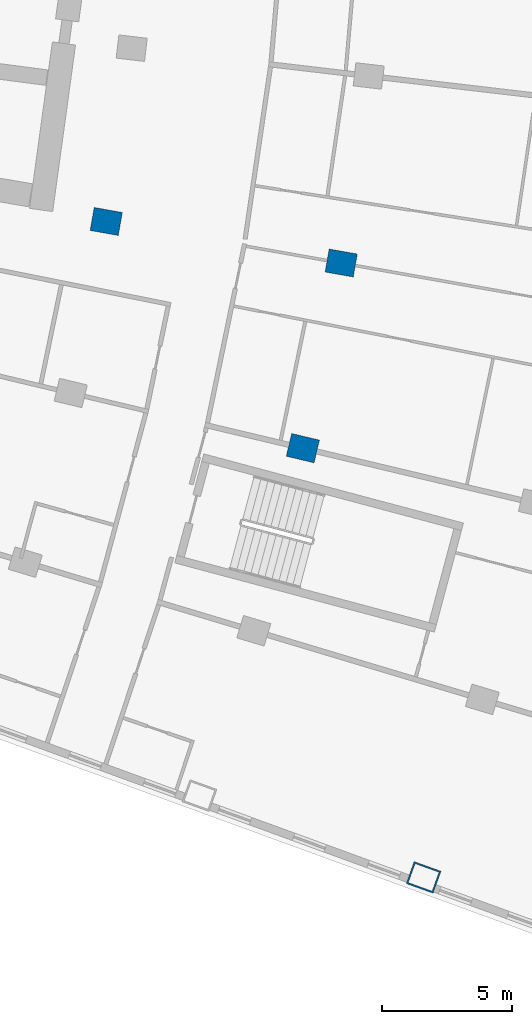
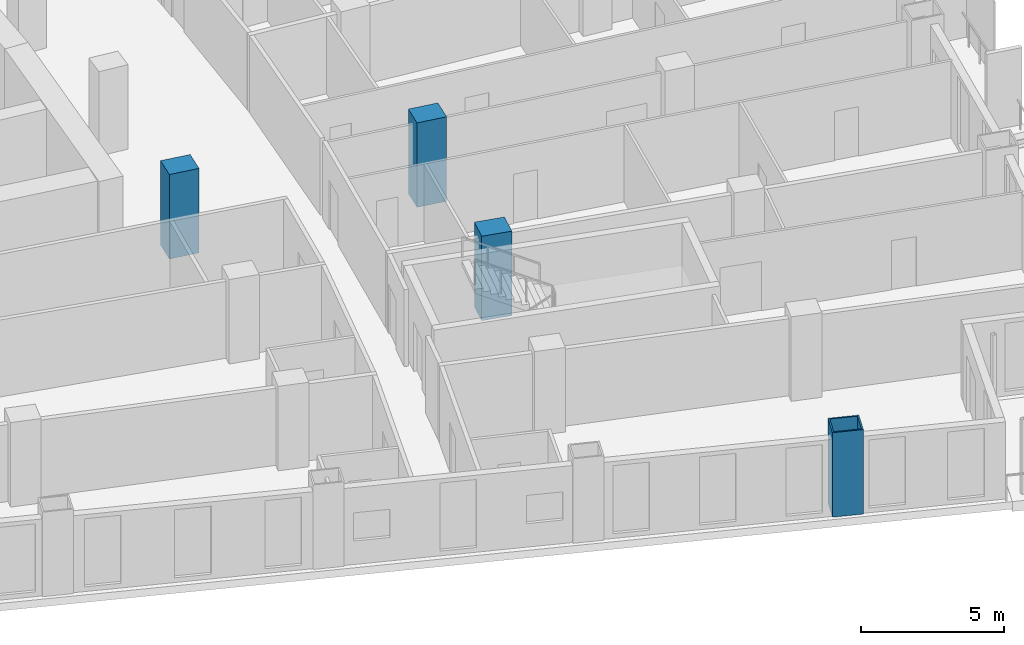
# One storey, part 4 of 25: 4 columns.
"""IFC4 building model written with IfcOpenShell, lengths in metres."""

from ifc_helpers import new_model, si_unit, direction, frame, origin, origin_2d, place, context, subcontext, project, spatial, rectangle, hollow_rectangle, extrude, material, material_profile, profile_set, type_object, element, save


model = new_model("IFC4")

# Units and contexts
model_context = context("Model", 3, precision=1e-05, world=origin(), true_north=direction((0.0, 1.0)))
body_context = subcontext(model_context, "Body", "Model", "MODEL_VIEW")
ifc_project = project(units=[si_unit("LENGTHUNIT", "METRE"), si_unit("AREAUNIT", "SQUARE_METRE"), si_unit("VOLUMEUNIT", "CUBIC_METRE"), si_unit("PLANEANGLEUNIT", "RADIAN"), si_unit("MASSUNIT", "GRAM", prefix="KILO")], contexts=[model_context])

# Site, building, storey
site_placement = place(None, origin())
site = spatial("IfcSite", under=ifc_project, at=site_placement, CompositionType="ELEMENT")
building_placement = place(site_placement, origin())
building = spatial("IfcBuilding", under=site, at=building_placement, Name="Alderwake Tower", CompositionType="ELEMENT")
storey_placement = place(building_placement, frame((0.0, 0.0, 35.60009765625)))
storey = spatial("IfcBuildingStorey", under=building, at=storey_placement, Name="L07", CompositionType="ELEMENT", Elevation=35.60009765625)

# Columns
ifc_material_1 = material(Name="Steel ASTM A572 Grade 50 concrete filled C70/85", Category="concrete")
ifc_material_profile_1 = material_profile(ifc_material_1, hollow_rectangle(XDim=0.89990234375, YDim=1.10009765625, WallThickness=0.06005859375, at=origin_2d()), Name="BOX 1100X900X60")
ifc_profile_set_1 = profile_set([ifc_material_profile_1], Name="Steel ASTM A572 Grade 50 concrete filled C70/85")
column_type_1 = type_object("IfcColumnType", Name="End column Z1", PredefinedType="COLUMN", material=ifc_profile_set_1)
column_placement = place(storey_placement, frame((46.268310546875, 15.547119140625, 0.0), z_axis=(0.0, 0.0, 1.0), x_axis=(0.338695224082, 0.940896139425, 0.0)))
element("IfcColumn", 1, at=column_placement, inside=storey, type_object=column_type_1, Name="Column R01-C4", PredefinedType="COLUMN", context=body_context, shape_type="SweptSolid", body=[
    extrude(hollow_rectangle(XDim=0.89990234375, YDim=1.10009765625, WallThickness=0.06005859375, at=origin_2d()), origin(), (0.0, 0.0, 1.0), 3.599853515625),
])
ifc_material_2 = material(Name="Concrete C70/85", Category="concrete")
ifc_material_profile_2 = material_profile(ifc_material_2, rectangle(XDim=0.89990234375, YDim=1.10009765625, at=origin_2d()), Name="RC 1100X900")
ifc_profile_set_2 = profile_set([ifc_material_profile_2], Name="Concrete C70/85")
column_type_2 = type_object("IfcColumnType", Name="Interior column Z1", PredefinedType="COLUMN", material=ifc_profile_set_2)
for number, where, z_axis, x_axis, name in (
    (2, (41.612548828125, 32.097412109375, 0.0), (0.0, 0.0, 1.0), (0.231221547198, 0.972901123502, 0.0), "Column R03-C3"),
    (3, (34.03125, 40.83837890625, 0.0), (0.0, 0.0, 1.0), (0.174108800747, 0.984726421654, 0.0), "Column R04-C2"),
    (4, (43.0908203125, 39.236572265625, 0.0), (0.0, 0.0, 1.0), (0.174108800747, 0.984726421654, 0.0), "Column R04-C3"),
):
    element("IfcColumn", number, at=place(storey_placement, frame(where, z_axis=z_axis, x_axis=x_axis)), inside=storey, type_object=column_type_2, Name=name, PredefinedType="COLUMN", context=body_context, shape_type="SweptSolid", body=[
        extrude(rectangle(XDim=0.89990234375, YDim=1.10009765625, at=origin_2d()), origin(), (0.0, 0.0, 1.0), 3.599853515625),
    ])

save(model, "model.ifc")
